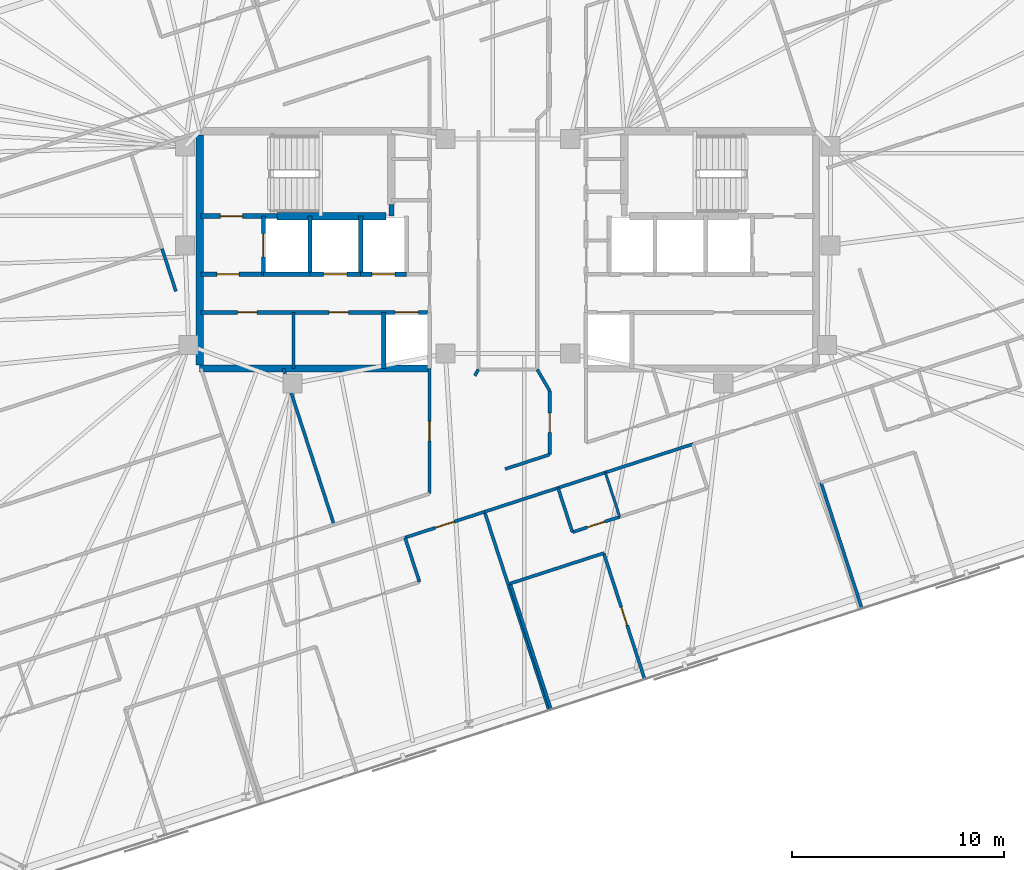
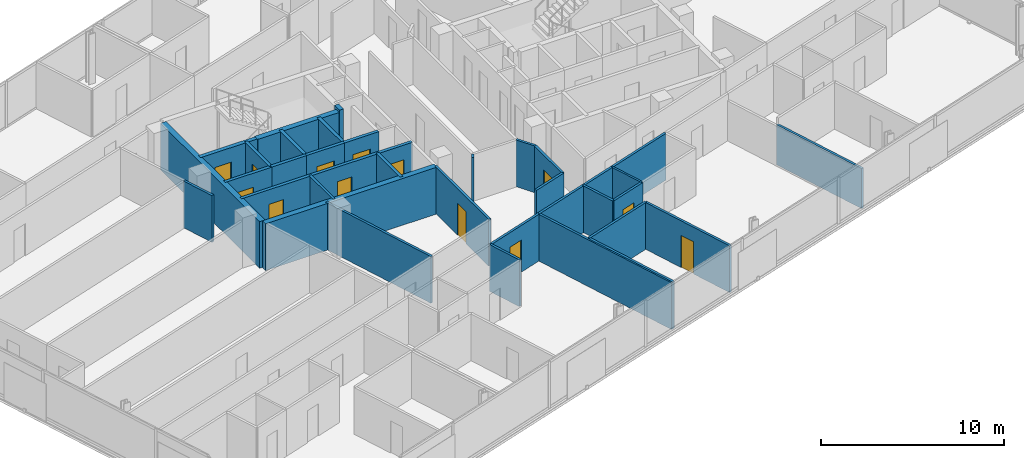
# One storey, part 14 of 19: 35 walls, 13 doors, 13 openings.
"""IFC4 building model written with IfcOpenShell, lengths in metres."""

from ifc_helpers import new_model, si_unit, direction, frame, frame_2d, origin, place, context, subcontext, project, spatial, rectangle, extrude, material, layer, layer_set, type_object, element, fill, save


model = new_model("IFC4")

# Units and contexts
model_context = context("Model", 3, precision=1e-05, world=origin(), true_north=direction((0.0, 1.0)))
body_context = subcontext(model_context, "Body", "Model", "MODEL_VIEW")
ifc_project = project(units=[si_unit("LENGTHUNIT", "METRE"), si_unit("AREAUNIT", "SQUARE_METRE"), si_unit("VOLUMEUNIT", "CUBIC_METRE"), si_unit("PLANEANGLEUNIT", "RADIAN"), si_unit("MASSUNIT", "GRAM", prefix="KILO")], contexts=[model_context])

# Site, building, storey
site_placement = place(None, origin())
site = spatial("IfcSite", under=ifc_project, at=site_placement, CompositionType="ELEMENT")
building_placement = place(site_placement, origin())
building = spatial("IfcBuilding", under=site, at=building_placement, Name="Menara Jurai Vektor", CompositionType="ELEMENT")
storey_placement = place(building_placement, frame((0.0, 0.0, 220.949951171875)))
storey = spatial("IfcBuildingStorey", under=building, at=storey_placement, Name="L58", CompositionType="ELEMENT", Elevation=220.949951171875)

# Wall, opening, door
ifc_material_1 = material(Name="Concrete C40/50", Category="concrete")
ifc_layer_1 = layer(ifc_material_1, 0.25)
ifc_layer_set_1 = layer_set([ifc_layer_1], Name="Concrete C40/50")
wall_type_1 = type_object("IfcWallType", Name="INT-WALL-CORE-250", PredefinedType="STANDARD", material=ifc_layer_set_1)
wall_1_placement = place(storey_placement, frame((-14.5, 1.60009765625, 0.0), z_axis=(0.0, 0.0, 1.0), x_axis=(1.0, 0.0, 0.0)))
wall_1 = element("IfcWall", 1, at=wall_1_placement, inside=storey, type_object=wall_type_1, Name="Interior Wall IW-250 L58", PredefinedType="STANDARD", context=body_context, shape_type="SweptSolid", body=[
    extrude(rectangle(XDim=3.60009765625, YDim=0.25, at=frame_2d((1.800048828125, 0.0))), origin(), (0.0, 0.0, 1.0), 3.125),
])
opening_1_placement = place(wall_1_placement, frame((0.919921875, 0.0, 0.0)))
opening_1 = element("IfcOpeningElement", 2, at=opening_1_placement, cuts=wall_1, Name="Opening D-L58-ST1", PredefinedType="OPENING", context=body_context, shape_type="SweptSolid", body=[
    extrude(rectangle(XDim=1.050048828125, YDim=2.14990234375, at=frame_2d((0.52490234375, 1.074951171875))), frame((0.0, 0.135009765625, 0.0), z_axis=(0.0, -1.0, 0.0), x_axis=(1.0, 0.0, 0.0)), (0.0, 0.0, 1.0), 0.27001953125),
])
ifc_material_2 = material(Name="Fire-Rated Steel Door", Category="steel")
door_type_1 = type_object("IfcDoorType", Name="DR-STAIR-1050", OperationType="NOTDEFINED", PredefinedType="DOOR", material=ifc_material_2)
door_1_placement = place(opening_1_placement, origin())
door_1 = element("IfcDoor", 3, at=door_1_placement, inside=storey, type_object=door_type_1, Name="Exit Stair ST1 Door L58", OperationType="SINGLE_SWING_RIGHT", OverallHeight=2.14990234375, OverallWidth=1.050048828125, PredefinedType="DOOR", context=body_context, shape_type="SweptSolid", body=[
    extrude(rectangle(XDim=1.050048828125, YDim=2.14990234375, at=frame_2d((0.52490234375, 1.074951171875))), frame((0.0, 0.02490234375, 0.0), z_axis=(0.0, -1.0, 0.0), x_axis=(1.0, 0.0, 0.0)), (0.0, 0.0, 1.0), 0.050048828125),
])
fill(opening_1, door_1)

# Wall
wall_2_placement = place(storey_placement, frame((-5.5, 1.60009765625, 0.0), z_axis=(0.0, 0.0, 1.0), x_axis=(0.0, 1.0, 0.0)))
element("IfcWall", 4, at=wall_2_placement, inside=storey, type_object=wall_type_1, Name="Interior Wall IW-250 L58", PredefinedType="STANDARD", context=body_context, shape_type="SweptSolid", body=[
    extrude(rectangle(XDim=0.5498046875, YDim=0.25, at=frame_2d((0.27490234375, 0.0))), origin(), (0.0, 0.0, 1.0), 3.125),
])

# Wall, opening, door
wall_3_placement = place(storey_placement, frame((-11.550048828125, -1.14990234375, 0.0), z_axis=(0.0, 0.0, 1.0), x_axis=(0.0, 1.0, 0.0)))
wall_3 = element("IfcWall", 5, at=wall_3_placement, inside=storey, type_object=wall_type_1, Name="Interior Wall IW-250 L58", PredefinedType="STANDARD", context=body_context, shape_type="SweptSolid", body=[
    extrude(rectangle(XDim=2.75, YDim=0.199951171875, at=frame_2d((1.375, 0.0))), origin(), (0.0, 0.0, 1.0), 3.125),
])
opening_2_placement = place(wall_3_placement, frame((0.824951171875, 0.0, 0.0)))
opening_2 = element("IfcOpeningElement", 6, at=opening_2_placement, cuts=wall_3, Name="Opening LD-L58-FL1", PredefinedType="OPENING", context=body_context, shape_type="SweptSolid", body=[
    extrude(rectangle(XDim=1.10009765625, YDim=2.14990234375, at=frame_2d((0.550048828125, 1.074951171875))), frame((0.0, 0.10986328125, 0.0), z_axis=(0.0, -1.0, 0.0), x_axis=(1.0, 0.0, 0.0)), (0.0, 0.0, 1.0), 0.219970703125),
])
ifc_material_3 = material(Name="Stainless Steel Sliding Lift Landing Door", Category="steel")
door_type_2 = type_object("IfcDoorType", Name="DR-LIFT-FIRE-1100", OperationType="NOTDEFINED", PredefinedType="DOOR", material=ifc_material_3)
door_2_placement = place(opening_2_placement, origin())
door_2 = element("IfcDoor", 7, at=door_2_placement, inside=storey, type_object=door_type_2, Name="Lift Landing Door FL1 L58", OperationType="SLIDING_TO_RIGHT", OverallHeight=2.14990234375, OverallWidth=1.10009765625, PredefinedType="DOOR", context=body_context, shape_type="SweptSolid", body=[
    extrude(rectangle(XDim=1.10009765625, YDim=2.14990234375, at=frame_2d((0.550048828125, 1.074951171875))), frame((0.0, 0.02490234375, 0.0), z_axis=(0.0, -1.0, 0.0), x_axis=(1.0, 0.0, 0.0)), (0.0, 0.0, 1.0), 0.050048828125),
])
fill(opening_2, door_2)

# Wall
wall_4_placement = place(storey_placement, frame((-9.35009765625, -1.14990234375, 0.0), z_axis=(0.0, 0.0, 1.0), x_axis=(0.0, 1.0, 0.0)))
element("IfcWall", 8, at=wall_4_placement, inside=storey, type_object=wall_type_1, Name="Interior Wall IW-250 L58", PredefinedType="STANDARD", context=body_context, shape_type="SweptSolid", body=[
    extrude(rectangle(XDim=2.75, YDim=0.199951171875, at=frame_2d((1.375, 0.0))), origin(), (0.0, 0.0, 1.0), 3.125),
])

# Wall, opening, door
wall_5_placement = place(storey_placement, frame((-14.5, -1.14990234375, 0.0), z_axis=(0.0, 0.0, 1.0), x_axis=(1.0, 0.0, 0.0)))
wall_5 = element("IfcWall", 9, at=wall_5_placement, inside=storey, type_object=wall_type_1, Name="Interior Wall IW-250 L58", PredefinedType="STANDARD", context=body_context, shape_type="SweptSolid", body=[
    extrude(rectangle(XDim=2.949951171875, YDim=0.199951171875, at=frame_2d((1.47509765625, 0.0))), origin(), (0.0, 0.0, 1.0), 3.125),
])
opening_3_placement = place(wall_5_placement, frame((0.75, 0.0, 0.0)))
opening_3 = element("IfcOpeningElement", 10, at=opening_3_placement, cuts=wall_5, Name="Opening D-L58-FFW", PredefinedType="OPENING", context=body_context, shape_type="SweptSolid", body=[
    extrude(rectangle(XDim=1.050048828125, YDim=2.179931640625, at=frame_2d((0.52490234375, 1.08984375))), frame((0.0, 0.10986328125, 0.0), z_axis=(0.0, -1.0, 0.0), x_axis=(1.0, 0.0, 0.0)), (0.0, 0.0, 1.0), 0.219970703125),
])
ifc_material_4 = material(Name="Fire-Rated Timber Door", Category="wood")
door_type_3 = type_object("IfcDoorType", Name="DR-LOBBY-1050", OperationType="NOTDEFINED", PredefinedType="DOOR", material=ifc_material_4)
door_3_placement = place(opening_3_placement, origin())
door_3 = element("IfcDoor", 11, at=door_3_placement, inside=storey, type_object=door_type_3, Name="Fire Lift Lobby Door W L58", OperationType="SINGLE_SWING_RIGHT", OverallHeight=2.179931640625, OverallWidth=1.050048828125, PredefinedType="DOOR", context=body_context, shape_type="SweptSolid", body=[
    extrude(rectangle(XDim=1.050048828125, YDim=2.179931640625, at=frame_2d((0.52490234375, 1.08984375))), frame((0.0, 0.02490234375, 0.0), z_axis=(0.0, -1.0, 0.0), x_axis=(1.0, 0.0, 0.0)), (0.0, 0.0, 1.0), 0.050048828125),
])
fill(opening_3, door_3)

# Walls
wall_6_placement = place(storey_placement, frame((-11.550048828125, -1.14990234375, 0.0), z_axis=(0.0, 0.0, 1.0), x_axis=(1.0, 0.0, 0.0)))
element("IfcWall", 12, at=wall_6_placement, inside=storey, type_object=wall_type_1, Name="Interior Wall IW-250 L58", PredefinedType="STANDARD", context=body_context, shape_type="SweptSolid", body=[
    extrude(rectangle(XDim=2.199951171875, YDim=0.199951171875, at=frame_2d((1.10009765625, 0.0))), origin(), (0.0, 0.0, 1.0), 3.125),
])
ifc_material_5 = material(Name="Gypsum Fireboard Partition", Category="gypsum")
ifc_layer_2 = layer(ifc_material_5, 0.14990234375)
ifc_layer_set_2 = layer_set([ifc_layer_2], Name="Gypsum Fireboard Partition")
wall_type_2 = type_object("IfcWallType", Name="INT-WALL-CORR-150", PredefinedType="PARTITIONING", material=ifc_layer_set_2)
wall_7_placement = place(storey_placement, frame((-10.1201171875, -5.60009765625, 0.0), z_axis=(0.0, 0.0, 1.0), x_axis=(0.0, 1.0, 0.0)))
element("IfcWall", 13, at=wall_7_placement, inside=storey, type_object=wall_type_2, Name="Interior Wall IW-150 L58", PredefinedType="PARTITIONING", context=body_context, shape_type="SweptSolid", body=[
    extrude(rectangle(XDim=2.650146484375, YDim=0.14990234375, at=frame_2d((1.3251953125, 0.0))), origin(), (0.0, 0.0, 1.0), 3.125),
])

# Wall, opening, door
wall_8_placement = place(storey_placement, frame((-4.85595703125, -13.5927734375, 0.0), z_axis=(0.0, 0.0, 1.0), x_axis=(0.951054051148, 0.309024581215, 0.0)))
wall_8 = element("IfcWall", 14, at=wall_8_placement, inside=storey, type_object=wall_type_2, Name="Interior Wall IW-150 L58", PredefinedType="PARTITIONING", context=body_context, shape_type="SweptSolid", body=[
    extrude(rectangle(XDim=3.9501953125, YDim=0.14990234375, at=frame_2d((1.97509765625, 0.0))), origin(), (0.0, 0.0, 1.0), 3.125),
])
opening_4_placement = place(wall_8_placement, frame((1.5, 0.0, 0.0)))
opening_4 = element("IfcOpeningElement", 15, at=opening_4_placement, cuts=wall_8, Name="Opening D58-22", PredefinedType="OPENING", context=body_context, shape_type="SweptSolid", body=[
    extrude(rectangle(XDim=0.949951171875, YDim=2.14990234375, at=frame_2d((0.47509765625, 1.074951171875))), frame((0.0, 0.0849609375, 0.0), z_axis=(0.0, -1.0, 0.0), x_axis=(1.0, 0.0, 0.0)), (0.0, 0.0, 1.0), 0.169921875),
])
ifc_material_6 = material(Name="Solid Core Timber Fire Door", Category="wood")
door_type_4 = type_object("IfcDoorType", Name="DR-ENTRY-950", OperationType="NOTDEFINED", PredefinedType="DOOR", material=ifc_material_6)
door_4_placement = place(opening_4_placement, origin())
door_4 = element("IfcDoor", 16, at=door_4_placement, inside=storey, type_object=door_type_4, Name="Interior Door D58-22", OperationType="SINGLE_SWING_RIGHT", OverallHeight=2.14990234375, OverallWidth=0.949951171875, PredefinedType="DOOR", context=body_context, shape_type="SweptSolid", body=[
    extrude(rectangle(XDim=0.949951171875, YDim=2.14990234375, at=frame_2d((0.47509765625, 1.074951171875))), frame((0.0, 0.02490234375, 0.0), z_axis=(0.0, -1.0, 0.0), x_axis=(1.0, 0.0, 0.0)), (0.0, 0.0, 1.0), 0.050048828125),
])
fill(opening_4, door_4)

# Walls
wall_9_placement = place(storey_placement, frame((-1.09912109375, -12.3720703125, 0.0), z_axis=(0.0, 0.0, 1.0), x_axis=(0.951057168147, 0.309014988174, 0.0)))
element("IfcWall", 17, at=wall_9_placement, inside=storey, type_object=wall_type_2, Name="Interior Wall IW-150 L58", PredefinedType="PARTITIONING", context=body_context, shape_type="SweptSolid", body=[
    extrude(rectangle(XDim=3.650146484375, YDim=0.14990234375, at=frame_2d((1.8251953125, 0.0))), origin(), (0.0, 0.0, 1.0), 3.125),
])
wall_10_placement = place(storey_placement, frame((2.372314453125, -11.244140625, 0.0), z_axis=(0.0, 0.0, 1.0), x_axis=(0.951066131077, 0.308987401554, 0.0)))
element("IfcWall", 18, at=wall_10_placement, inside=storey, type_object=wall_type_2, Name="Interior Wall IW-150 L58", PredefinedType="PARTITIONING", context=body_context, shape_type="SweptSolid", body=[
    extrude(rectangle(XDim=2.349853515625, YDim=0.14990234375, at=frame_2d((1.1748046875, 0.0))), origin(), (0.0, 0.0, 1.0), 3.125),
])
wall_11_placement = place(storey_placement, frame((4.607177734375, -10.51806640625, 0.0), z_axis=(0.0, 0.0, 1.0), x_axis=(0.951052627573, 0.309028962374, 0.0)))
element("IfcWall", 19, at=wall_11_placement, inside=storey, type_object=wall_type_2, Name="Interior Wall IW-150 L58", PredefinedType="PARTITIONING", context=body_context, shape_type="SweptSolid", body=[
    extrude(rectangle(XDim=4.349853515625, YDim=0.14990234375, at=frame_2d((2.1748046875, 0.0))), origin(), (0.0, 0.0, 1.0), 3.125),
])
wall_12_placement = place(storey_placement, frame((-0.12939453125, -10.353515625, 0.0), z_axis=(0.0, 0.0, 1.0), x_axis=(0.951066420845, 0.308986509643, 0.0)))
element("IfcWall", 20, at=wall_12_placement, inside=storey, type_object=wall_type_2, Name="Interior Wall IW-150 L58", PredefinedType="PARTITIONING", context=body_context, shape_type="SweptSolid", body=[
    extrude(rectangle(XDim=2.218017578125, YDim=0.14990234375, at=frame_2d((1.10888671875, 0.0))), origin(), (0.0, 0.0, 1.0), 3.125),
])
wall_13_placement = place(storey_placement, frame((-1.5625, -5.943603515625, 0.0), z_axis=(0.0, 0.0, 1.0), x_axis=(0.505387839696, 0.862892305845, 0.0)))
element("IfcWall", 21, at=wall_13_placement, inside=storey, type_object=wall_type_2, Name="Interior Wall IW-150 L58", PredefinedType="PARTITIONING", context=body_context, shape_type="SweptSolid", body=[
    extrude(rectangle(XDim=0.340087890625, YDim=0.14990234375, at=frame_2d((0.169921875, 0.0))), origin(), (0.0, 0.0, 1.0), 3.125),
])

# Wall, opening, door
wall_14_placement = place(storey_placement, frame((1.97998046875, -9.668212890625, 0.0), z_axis=(0.0, 0.0, 1.0), x_axis=(8.1241368e-05, 0.9999999967, 0.0)))
wall_14 = element("IfcWall", 22, at=wall_14_placement, inside=storey, type_object=wall_type_2, Name="Interior Wall IW-150 L58", PredefinedType="PARTITIONING", context=body_context, shape_type="SweptSolid", body=[
    extrude(rectangle(XDim=3.005126953125, YDim=0.14990234375, at=frame_2d((1.50244140625, 0.0))), origin(), (0.0, 0.0, 1.0), 3.125),
])
opening_5_placement = place(wall_14_placement, frame((1.04248046875, 0.0, 0.0)))
opening_5 = element("IfcOpeningElement", 23, at=opening_5_placement, cuts=wall_14, Name="Opening D58-41", PredefinedType="OPENING", context=body_context, shape_type="SweptSolid", body=[
    extrude(rectangle(XDim=0.919921875, YDim=2.14990234375, at=frame_2d((0.4599609375, 1.074951171875))), frame((0.0, 0.0849609375, 0.0), z_axis=(0.0, -1.0, 0.0), x_axis=(1.0, 0.0, 0.0)), (0.0, 0.0, 1.0), 0.169921875),
])
door_5_placement = place(opening_5_placement, origin())
door_5 = element("IfcDoor", 24, at=door_5_placement, inside=storey, type_object=door_type_4, Name="Interior Door D58-41", OperationType="SINGLE_SWING_LEFT", OverallHeight=2.14990234375, OverallWidth=0.919921875, PredefinedType="DOOR", context=body_context, shape_type="SweptSolid", body=[
    extrude(rectangle(XDim=0.919921875, YDim=2.14990234375, at=frame_2d((0.4599609375, 1.074951171875))), frame((0.0, 0.02490234375, 0.0), z_axis=(0.0, -1.0, 0.0), x_axis=(1.0, 0.0, 0.0)), (0.0, 0.0, 1.0), 0.050048828125),
])
fill(opening_5, door_5)

# Wall
wall_15_placement = place(storey_placement, frame((1.391357421875, -5.6494140625, 0.0), z_axis=(0.0, 0.0, 1.0), x_axis=(0.502522642426, -0.864564048437, 0.0)))
element("IfcWall", 25, at=wall_15_placement, inside=storey, type_object=wall_type_2, Name="Interior Wall IW-150 L58", PredefinedType="PARTITIONING", context=body_context, shape_type="SweptSolid", body=[
    extrude(rectangle(XDim=1.17138671875, YDim=0.14990234375, at=frame_2d((0.585693359375, 0.0))), origin(), (0.0, 0.0, 1.0), 3.125),
])

# Wall, opening, door
wall_16_placement = place(storey_placement, frame((-3.69970703125, -11.513671875, 0.0), z_axis=(0.0, 0.0, 1.0), x_axis=(-8.2572974e-05, 0.999999996591, 0.0)))
wall_16 = element("IfcWall", 26, at=wall_16_placement, inside=storey, type_object=wall_type_2, Name="Interior Wall IW-150 L58", PredefinedType="PARTITIONING", context=body_context, shape_type="SweptSolid", body=[
    extrude(rectangle(XDim=5.913330078125, YDim=0.14990234375, at=frame_2d((2.95654296875, 0.0))), origin(), (0.0, 0.0, 1.0), 3.125),
])
opening_6_placement = place(wall_16_placement, frame((2.49658203125, 0.0, 0.0)))
opening_6 = element("IfcOpeningElement", 27, at=opening_6_placement, cuts=wall_16, Name="Opening D58-44", PredefinedType="OPENING", context=body_context, shape_type="SweptSolid", body=[
    extrude(rectangle(XDim=0.919921875, YDim=2.14990234375, at=frame_2d((0.4599609375, 1.074951171875))), frame((0.0, 0.0849609375, 0.0), z_axis=(0.0, -1.0, 0.0), x_axis=(1.0, 0.0, 0.0)), (0.0, 0.0, 1.0), 0.169921875),
])
door_6_placement = place(opening_6_placement, origin())
door_6 = element("IfcDoor", 28, at=door_6_placement, inside=storey, type_object=door_type_4, Name="Interior Door D58-44", OperationType="SINGLE_SWING_RIGHT", OverallHeight=2.14990234375, OverallWidth=0.919921875, PredefinedType="DOOR", context=body_context, shape_type="SweptSolid", body=[
    extrude(rectangle(XDim=0.919921875, YDim=2.14990234375, at=frame_2d((0.4599609375, 1.074951171875))), frame((0.0, 0.02490234375, 0.0), z_axis=(0.0, -1.0, 0.0), x_axis=(1.0, 0.0, 0.0)), (0.0, 0.0, 1.0), 0.050048828125),
])
fill(opening_6, door_6)

# Walls
wall_17_placement = place(storey_placement, frame((-4.176025390625, -15.68505859375, 0.0), z_axis=(0.0, 0.0, 1.0), x_axis=(-0.309060979314, 0.951042223598, 0.0)))
element("IfcWall", 29, at=wall_17_placement, inside=storey, type_object=wall_type_2, Name="Interior Wall IW-150 L58", PredefinedType="PARTITIONING", context=body_context, shape_type="SweptSolid", body=[
    extrude(rectangle(XDim=2.199951171875, YDim=0.14990234375, at=frame_2d((1.10009765625, 0.0))), origin(), (0.0, 0.0, 1.0), 3.125),
])
wall_18_placement = place(storey_placement, frame((1.9482421875, -21.75146484375, 0.0), z_axis=(0.0, 0.0, 1.0), x_axis=(-0.308999867152, 0.951062081097, 0.0)))
element("IfcWall", 30, at=wall_18_placement, inside=storey, type_object=wall_type_2, Name="Interior Wall IW-150 L58", PredefinedType="PARTITIONING", context=body_context, shape_type="SweptSolid", body=[
    extrude(rectangle(XDim=9.862060546875, YDim=0.14990234375, at=frame_2d((4.93115234375, 0.0))), origin(), (0.0, 0.0, 1.0), 3.125),
])
wall_19_placement = place(storey_placement, frame((3.052001953125, -13.33642578125, 0.0), z_axis=(0.0, 0.0, 1.0), x_axis=(-0.308960600764, 0.951074837842, 0.0)))
element("IfcWall", 31, at=wall_19_placement, inside=storey, type_object=wall_type_2, Name="Interior Wall IW-150 L58", PredefinedType="PARTITIONING", context=body_context, shape_type="SweptSolid", body=[
    extrude(rectangle(XDim=2.199951171875, YDim=0.14990234375, at=frame_2d((1.10009765625, 0.0))), origin(), (0.0, 0.0, 1.0), 3.125),
])

# Wall, opening, door
wall_20_placement = place(storey_placement, frame((3.052001953125, -13.33642578125, 0.0), z_axis=(0.0, 0.0, 1.0), x_axis=(0.951076048914, 0.308956872689, 0.0)))
wall_20 = element("IfcWall", 32, at=wall_20_placement, inside=storey, type_object=wall_type_2, Name="Interior Wall IW-150 L58", PredefinedType="PARTITIONING", context=body_context, shape_type="SweptSolid", body=[
    extrude(rectangle(XDim=2.35009765625, YDim=0.14990234375, at=frame_2d((1.175048828125, 0.0))), origin(), (0.0, 0.0, 1.0), 3.125),
])
opening_7_placement = place(wall_20_placement, frame((0.735107421875, 0.0, 0.0)))
opening_7 = element("IfcOpeningElement", 33, at=opening_7_placement, cuts=wall_20, Name="Opening D58-27", PredefinedType="OPENING", context=body_context, shape_type="SweptSolid", body=[
    extrude(rectangle(XDim=0.8798828125, YDim=2.14990234375, at=frame_2d((0.43994140625, 1.074951171875))), frame((0.0, 0.0849609375, 0.0), z_axis=(0.0, -1.0, 0.0), x_axis=(1.0, 0.0, 0.0)), (0.0, 0.0, 1.0), 0.169921875),
])
ifc_material_7 = material(Name="Moisture-Resistant Timber Door", Category="wood")
door_type_5 = type_object("IfcDoorType", Name="DR-BATH-880", OperationType="NOTDEFINED", PredefinedType="DOOR", material=ifc_material_7)
door_7_placement = place(opening_7_placement, origin())
door_7 = element("IfcDoor", 34, at=door_7_placement, inside=storey, type_object=door_type_5, Name="Interior Door D58-27", OperationType="SINGLE_SWING_LEFT", OverallHeight=2.14990234375, OverallWidth=0.8798828125, PredefinedType="DOOR", context=body_context, shape_type="SweptSolid", body=[
    extrude(rectangle(XDim=0.8798828125, YDim=2.14990234375, at=frame_2d((0.43994140625, 1.074951171875))), frame((0.0, 0.02490234375, 0.0), z_axis=(0.0, -1.0, 0.0), x_axis=(1.0, 0.0, 0.0)), (0.0, 0.0, 1.0), 0.050048828125),
])
fill(opening_7, door_7)

# Walls
wall_21_placement = place(storey_placement, frame((2.04345703125, -21.720458984375, 0.0), z_axis=(0.0, 0.0, 1.0), x_axis=(-0.309013782848, 0.951057559777, 0.0)))
element("IfcWall", 35, at=wall_21_placement, inside=storey, type_object=wall_type_2, Name="Interior Wall IW-150 L58", PredefinedType="PARTITIONING", context=body_context, shape_type="SweptSolid", body=[
    extrude(rectangle(XDim=6.261962890625, YDim=0.14990234375, at=frame_2d((3.130859375, 0.0))), origin(), (0.0, 0.0, 1.0), 3.125),
])
wall_22_placement = place(storey_placement, frame((0.1083984375, -15.764892578125, 0.0), z_axis=(0.0, 0.0, 1.0), x_axis=(0.951065702951, 0.308988719326, 0.0)))
element("IfcWall", 36, at=wall_22_placement, inside=storey, type_object=wall_type_2, Name="Interior Wall IW-150 L58", PredefinedType="PARTITIONING", context=body_context, shape_type="SweptSolid", body=[
    extrude(rectangle(XDim=4.64990234375, YDim=0.14990234375, at=frame_2d((2.324951171875, 0.0))), origin(), (0.0, 0.0, 1.0), 3.125),
])

# Wall, opening, door
wall_23_placement = place(storey_placement, frame((6.4658203125, -20.28369140625, 0.0), z_axis=(0.0, 0.0, 1.0), x_axis=(-0.309013782848, 0.951057559777, 0.0)))
wall_23 = element("IfcWall", 37, at=wall_23_placement, inside=storey, type_object=wall_type_2, Name="Interior Wall IW-150 L58", PredefinedType="PARTITIONING", context=body_context, shape_type="SweptSolid", body=[
    extrude(rectangle(XDim=6.261962890625, YDim=0.14990234375, at=frame_2d((3.130859375, 0.0))), origin(), (0.0, 0.0, 1.0), 3.125),
])
opening_8_placement = place(wall_23_placement, frame((2.680908203125, 0.0, 0.0)))
opening_8 = element("IfcOpeningElement", 38, at=opening_8_placement, cuts=wall_23, Name="Opening D58-29", PredefinedType="OPENING", context=body_context, shape_type="SweptSolid", body=[
    extrude(rectangle(XDim=0.89990234375, YDim=2.14990234375, at=frame_2d((0.449951171875, 1.074951171875))), frame((0.0, 0.0849609375, 0.0), z_axis=(0.0, -1.0, 0.0), x_axis=(1.0, 0.0, 0.0)), (0.0, 0.0, 1.0), 0.169921875),
])
ifc_material_8 = material(Name="Acoustic Timber Interior Door", Category="wood")
door_type_6 = type_object("IfcDoorType", Name="DR-ROOM-900", OperationType="NOTDEFINED", PredefinedType="DOOR", material=ifc_material_8)
door_8_placement = place(opening_8_placement, origin())
door_8 = element("IfcDoor", 39, at=door_8_placement, inside=storey, type_object=door_type_6, Name="Interior Door D58-29", OperationType="SINGLE_SWING_LEFT", OverallHeight=2.14990234375, OverallWidth=0.89990234375, PredefinedType="DOOR", context=body_context, shape_type="SweptSolid", body=[
    extrude(rectangle(XDim=0.89990234375, YDim=2.14990234375, at=frame_2d((0.449951171875, 1.074951171875))), frame((0.0, 0.02490234375, 0.0), z_axis=(0.0, -1.0, 0.0), x_axis=(1.0, 0.0, 0.0)), (0.0, 0.0, 1.0), 0.050048828125),
])
fill(opening_8, door_8)

# Walls
wall_24_placement = place(storey_placement, frame((-15.68505859375, -1.952392578125, 0.0), z_axis=(0.0, 0.0, 1.0), x_axis=(-0.308929092959, 0.951085072706, 0.0)))
element("IfcWall", 40, at=wall_24_placement, inside=storey, type_object=wall_type_2, Name="Interior Wall IW-150 L58", PredefinedType="PARTITIONING", context=body_context, shape_type="SweptSolid", body=[
    extrude(rectangle(XDim=2.110107421875, YDim=0.14990234375, at=frame_2d((1.05517578125, 0.0))), origin(), (0.0, 0.0, 1.0), 3.125),
])
wall_25_placement = place(storey_placement, frame((-8.21337890625, -12.980224609375, 0.0), z_axis=(0.0, 0.0, 1.0), x_axis=(-0.309017065592, 0.951056493155, 0.0)))
element("IfcWall", 41, at=wall_25_placement, inside=storey, type_object=wall_type_2, Name="Interior Wall IW-150 L58", PredefinedType="PARTITIONING", context=body_context, shape_type="SweptSolid", body=[
    extrude(rectangle(XDim=7.760009765625, YDim=0.14990234375, at=frame_2d((3.8798828125, 0.0))), origin(), (0.0, 0.0, 1.0), 3.125),
])
ifc_layer_3 = layer(ifc_material_5, 0.14990234375)
ifc_layer_set_3 = layer_set([ifc_layer_3], Name="Gypsum Fireboard Partition")
wall_type_3 = type_object("IfcWallType", Name="INT-WALL-CORR-150-H1", PredefinedType="PARTITIONING", material=ifc_layer_set_3)
wall_26_placement = place(storey_placement, frame((16.7314453125, -16.947998046875, 0.0), z_axis=(0.0, 0.0, 1.0), x_axis=(-0.309013782848, 0.951057559777, 0.0)))
element("IfcWall", 42, at=wall_26_placement, inside=storey, type_object=wall_type_3, Name="Interior Wall IW-150 L58", PredefinedType="PARTITIONING", context=body_context, shape_type="SweptSolid", body=[
    extrude(rectangle(XDim=6.261962890625, YDim=0.14990234375, at=frame_2d((3.130859375, 0.0))), origin(), (0.0, 0.0, 1.0), 2.675048828125),
])
ifc_material_9 = material(Name="Gypsum Acoustic Stud Partition", Category="gypsum")
ifc_layer_4 = layer(ifc_material_9, 0.1201171875)
ifc_layer_set_4 = layer_set([ifc_layer_4], Name="Gypsum Acoustic Stud Partition")
wall_type_4 = type_object("IfcWallType", Name="INT-WALL-PART-120", PredefinedType="PARTITIONING", material=ifc_layer_set_4)
wall_27_placement = place(storey_placement, frame((5.287109375, -12.6103515625, 0.0), z_axis=(0.0, 0.0, 1.0), x_axis=(-0.309060979314, 0.951042223598, 0.0)))
element("IfcWall", 43, at=wall_27_placement, inside=storey, type_object=wall_type_4, Name="Interior Wall IW-120 L58", PredefinedType="PARTITIONING", context=body_context, shape_type="SweptSolid", body=[
    extrude(rectangle(XDim=2.199951171875, YDim=0.1201171875, at=frame_2d((1.10009765625, 0.0))), origin(), (0.0, 0.0, 1.0), 3.125),
])
ifc_layer_5 = layer(ifc_material_1, 0.199951171875)
ifc_layer_set_5 = layer_set([ifc_layer_5], Name="Concrete C40/50")
wall_type_5 = type_object("IfcWallType", Name="INT-WALL-SHAFT-200", PredefinedType="STANDARD", material=ifc_layer_set_5)
wall_28_placement = place(storey_placement, frame((-6.949951171875, -1.14990234375, 0.0), z_axis=(0.0, 0.0, 1.0), x_axis=(0.0, 1.0, 0.0)))
element("IfcWall", 44, at=wall_28_placement, inside=storey, type_object=wall_type_5, Name="Interior Wall IW-200 L58", PredefinedType="STANDARD", context=body_context, shape_type="SweptSolid", body=[
    extrude(rectangle(XDim=2.75, YDim=0.199951171875, at=frame_2d((1.375, 0.0))), origin(), (0.0, 0.0, 1.0), 3.125),
])

# Wall, opening, door
wall_29_placement = place(storey_placement, frame((-9.35009765625, -1.14990234375, 0.0), z_axis=(0.0, 0.0, 1.0), x_axis=(1.0, 0.0, 0.0)))
wall_29 = element("IfcWall", 45, at=wall_29_placement, inside=storey, type_object=wall_type_5, Name="Interior Wall IW-200 L58", PredefinedType="STANDARD", context=body_context, shape_type="SweptSolid", body=[
    extrude(rectangle(XDim=2.400146484375, YDim=0.199951171875, at=frame_2d((1.2001953125, 0.0))), origin(), (0.0, 0.0, 1.0), 3.125),
])
opening_9_placement = place(wall_29_placement, frame((0.64990234375, 0.0, 0.0)))
opening_9 = element("IfcOpeningElement", 46, at=opening_9_placement, cuts=wall_29, Name="Opening LD-L58-SVL1", PredefinedType="OPENING", context=body_context, shape_type="SweptSolid", body=[
    extrude(rectangle(XDim=1.10009765625, YDim=2.14990234375, at=frame_2d((0.550048828125, 1.074951171875))), frame((0.0, 0.10986328125, 0.0), z_axis=(0.0, -1.0, 0.0), x_axis=(1.0, 0.0, 0.0)), (0.0, 0.0, 1.0), 0.219970703125),
])
ifc_material_10 = material(Name="Anodised Stainless Sliding Lift Landing Door", Category="steel")
door_type_7 = type_object("IfcDoorType", Name="DR-LIFT-PASS-1100", OperationType="NOTDEFINED", PredefinedType="DOOR", material=ifc_material_10)
door_9_placement = place(opening_9_placement, origin())
door_9 = element("IfcDoor", 47, at=door_9_placement, inside=storey, type_object=door_type_7, Name="Lift Landing Door SVL1 L58", OperationType="SLIDING_TO_RIGHT", OverallHeight=2.14990234375, OverallWidth=1.10009765625, PredefinedType="DOOR", context=body_context, shape_type="SweptSolid", body=[
    extrude(rectangle(XDim=1.10009765625, YDim=2.14990234375, at=frame_2d((0.550048828125, 1.074951171875))), frame((0.0, 0.02490234375, 0.0), z_axis=(0.0, -1.0, 0.0), x_axis=(1.0, 0.0, 0.0)), (0.0, 0.0, 1.0), 0.050048828125),
])
fill(opening_9, door_9)

wall_30_placement = place(storey_placement, frame((-6.949951171875, -1.14990234375, 0.0), z_axis=(0.0, 0.0, 1.0), x_axis=(1.0, 0.0, 0.0)))
wall_30 = element("IfcWall", 48, at=wall_30_placement, inside=storey, type_object=wall_type_5, Name="Interior Wall IW-200 L58", PredefinedType="STANDARD", context=body_context, shape_type="SweptSolid", body=[
    extrude(rectangle(XDim=2.159912109375, YDim=0.199951171875, at=frame_2d((1.080078125, 0.0))), origin(), (0.0, 0.0, 1.0), 3.125),
])
opening_10_placement = place(wall_30_placement, frame((0.530029296875, 0.0, 0.0)))
opening_10 = element("IfcOpeningElement", 49, at=opening_10_placement, cuts=wall_30, Name="Opening LD-L58-PH2", PredefinedType="OPENING", context=body_context, shape_type="SweptSolid", body=[
    extrude(rectangle(XDim=1.10009765625, YDim=2.14990234375, at=frame_2d((0.550048828125, 1.074951171875))), frame((0.0, 0.10986328125, 0.0), z_axis=(0.0, -1.0, 0.0), x_axis=(1.0, 0.0, 0.0)), (0.0, 0.0, 1.0), 0.219970703125),
])
door_10_placement = place(opening_10_placement, origin())
door_10 = element("IfcDoor", 50, at=door_10_placement, inside=storey, type_object=door_type_7, Name="Lift Landing Door PH2 L58", OperationType="SLIDING_TO_RIGHT", OverallHeight=2.14990234375, OverallWidth=1.10009765625, PredefinedType="DOOR", context=body_context, shape_type="SweptSolid", body=[
    extrude(rectangle(XDim=1.10009765625, YDim=2.14990234375, at=frame_2d((0.550048828125, 1.074951171875))), frame((0.0, 0.02490234375, 0.0), z_axis=(0.0, -1.0, 0.0), x_axis=(1.0, 0.0, 0.0)), (0.0, 0.0, 1.0), 0.050048828125),
])
fill(opening_10, door_10)

# Wall, openings, doors
wall_31_placement = place(storey_placement, frame((-14.5, -2.949951171875, 0.0), z_axis=(0.0, 0.0, 1.0), x_axis=(1.0, 0.0, 0.0)))
wall_31 = element("IfcWall", 51, at=wall_31_placement, inside=storey, type_object=wall_type_5, Name="Interior Wall IW-200 L58", PredefinedType="STANDARD", context=body_context, shape_type="SweptSolid", body=[
    extrude(rectangle(XDim=10.800048828125, YDim=0.199951171875, at=frame_2d((5.39990234375, 0.0))), origin(), (0.0, 0.0, 1.0), 3.125),
])
opening_11_placement = place(wall_31_placement, frame((9.169921875, 0.0, 0.0)))
opening_11 = element("IfcOpeningElement", 52, at=opening_11_placement, cuts=wall_31, Name="Opening LD-L58-PH1", PredefinedType="OPENING", context=body_context, shape_type="SweptSolid", body=[
    extrude(rectangle(XDim=1.10009765625, YDim=2.14990234375, at=frame_2d((0.550048828125, 1.074951171875))), frame((0.0, 0.10986328125, 0.0), z_axis=(0.0, -1.0, 0.0), x_axis=(1.0, 0.0, 0.0)), (0.0, 0.0, 1.0), 0.219970703125),
])
opening_12_placement = place(wall_31_placement, frame((1.72998046875, 0.0, 0.0)))
opening_12 = element("IfcOpeningElement", 53, at=opening_12_placement, cuts=wall_31, Name="Opening D58-01", PredefinedType="OPENING", context=body_context, shape_type="SweptSolid", body=[
    extrude(rectangle(XDim=0.919921875, YDim=2.14990234375, at=frame_2d((0.4599609375, 1.074951171875))), frame((0.0, 0.10986328125, 0.0), z_axis=(0.0, -1.0, 0.0), x_axis=(1.0, 0.0, 0.0)), (0.0, 0.0, 1.0), 0.219970703125),
])
opening_13_placement = place(wall_31_placement, frame((6.050048828125, 0.0, 0.0)))
opening_13 = element("IfcOpeningElement", 54, at=opening_13_placement, cuts=wall_31, Name="Opening D58-02", PredefinedType="OPENING", context=body_context, shape_type="SweptSolid", body=[
    extrude(rectangle(XDim=0.919921875, YDim=2.14990234375, at=frame_2d((0.4599609375, 1.074951171875))), frame((0.0, 0.10986328125, 0.0), z_axis=(0.0, -1.0, 0.0), x_axis=(1.0, 0.0, 0.0)), (0.0, 0.0, 1.0), 0.219970703125),
])
door_11_placement = place(opening_12_placement, origin())
door_11 = element("IfcDoor", 55, at=door_11_placement, inside=storey, type_object=door_type_4, Name="Interior Door D58-01", OperationType="SINGLE_SWING_LEFT", OverallHeight=2.14990234375, OverallWidth=0.919921875, PredefinedType="DOOR", context=body_context, shape_type="SweptSolid", body=[
    extrude(rectangle(XDim=0.919921875, YDim=2.14990234375, at=frame_2d((0.4599609375, 1.074951171875))), frame((0.0, 0.02490234375, 0.0), z_axis=(0.0, -1.0, 0.0), x_axis=(1.0, 0.0, 0.0)), (0.0, 0.0, 1.0), 0.050048828125),
])
fill(opening_12, door_11)
door_12_placement = place(opening_13_placement, origin())
door_12 = element("IfcDoor", 56, at=door_12_placement, inside=storey, type_object=door_type_4, Name="Interior Door D58-02", OperationType="SINGLE_SWING_RIGHT", OverallHeight=2.14990234375, OverallWidth=0.919921875, PredefinedType="DOOR", context=body_context, shape_type="SweptSolid", body=[
    extrude(rectangle(XDim=0.919921875, YDim=2.14990234375, at=frame_2d((0.4599609375, 1.074951171875))), frame((0.0, 0.02490234375, 0.0), z_axis=(0.0, -1.0, 0.0), x_axis=(1.0, 0.0, 0.0)), (0.0, 0.0, 1.0), 0.050048828125),
])
fill(opening_13, door_12)
door_13_placement = place(opening_11_placement, origin())
door_13 = element("IfcDoor", 57, at=door_13_placement, inside=storey, type_object=door_type_7, Name="Lift Landing Door PH1 L58", OperationType="SLIDING_TO_RIGHT", OverallHeight=2.14990234375, OverallWidth=1.10009765625, PredefinedType="DOOR", context=body_context, shape_type="SweptSolid", body=[
    extrude(rectangle(XDim=1.10009765625, YDim=2.14990234375, at=frame_2d((0.550048828125, 1.074951171875))), frame((0.0, 0.02490234375, 0.0), z_axis=(0.0, -1.0, 0.0), x_axis=(1.0, 0.0, 0.0)), (0.0, 0.0, 1.0), 0.050048828125),
])
fill(opening_11, door_13)

# Walls
wall_32_placement = place(storey_placement, frame((-5.860107421875, -5.60009765625, 0.0), z_axis=(0.0, 0.0, 1.0), x_axis=(0.0, 1.0, 0.0)))
element("IfcWall", 58, at=wall_32_placement, inside=storey, type_object=wall_type_5, Name="Interior Wall IW-200 L58", PredefinedType="STANDARD", context=body_context, shape_type="SweptSolid", body=[
    extrude(rectangle(XDim=2.650146484375, YDim=0.199951171875, at=frame_2d((1.3251953125, 0.0))), origin(), (0.0, 0.0, 1.0), 3.125),
])
ifc_material_11 = material(Name="Concrete C50/60", Category="concrete")
ifc_layer_6 = layer(ifc_material_11, 0.35009765625)
ifc_layer_set_6 = layer_set([ifc_layer_6], Name="Concrete C50/60")
wall_type_6 = type_object("IfcWallType", Name="STR-WALL-CORE350", PredefinedType="SHEAR", material=ifc_layer_set_6)
wall_33_placement = place(storey_placement, frame((-14.56005859375, -5.60009765625, 0.0), z_axis=(0.0, 0.0, 1.0), x_axis=(1.0, 0.0, 0.0)))
element("IfcWall", 59, at=wall_33_placement, inside=storey, type_object=wall_type_6, Name="Core Shear Wall CW-W-S L58", PredefinedType="SHEAR", context=body_context, shape_type="SweptSolid", body=[
    extrude(rectangle(XDim=10.860107421875, YDim=0.35009765625, at=frame_2d((5.43017578125, 0.0))), origin(), (0.0, 0.0, 1.0), 3.125),
])
wall_34_placement = place(storey_placement, frame((-14.56005859375, -5.425048828125, 0.0), z_axis=(0.0, 0.0, 1.0), x_axis=(0.0, 1.0, 0.0)))
element("IfcWall", 60, at=wall_34_placement, inside=storey, type_object=wall_type_6, Name="Core Shear Wall CW-W-W L58", PredefinedType="SHEAR", context=body_context, shape_type="SweptSolid", body=[
    extrude(rectangle(XDim=10.85009765625, YDim=0.35009765625, at=frame_2d((5.425048828125, 0.0))), origin(), (0.0, 0.0, 1.0), 3.125),
])
wall_35_placement = place(storey_placement, frame((-10.89990234375, 1.60009765625, 0.0), z_axis=(0.0, 0.0, 1.0), x_axis=(1.0, 0.0, 0.0)))
element("IfcWall", 61, at=wall_35_placement, inside=storey, type_object=wall_type_6, Name="Core Shear Wall CW-W-STS L58", PredefinedType="SHEAR", context=body_context, shape_type="SweptSolid", body=[
    extrude(rectangle(XDim=5.14990234375, YDim=0.35009765625, at=frame_2d((2.574951171875, 0.0))), origin(), (0.0, 0.0, 1.0), 3.125),
])

save(model, "model.ifc")
